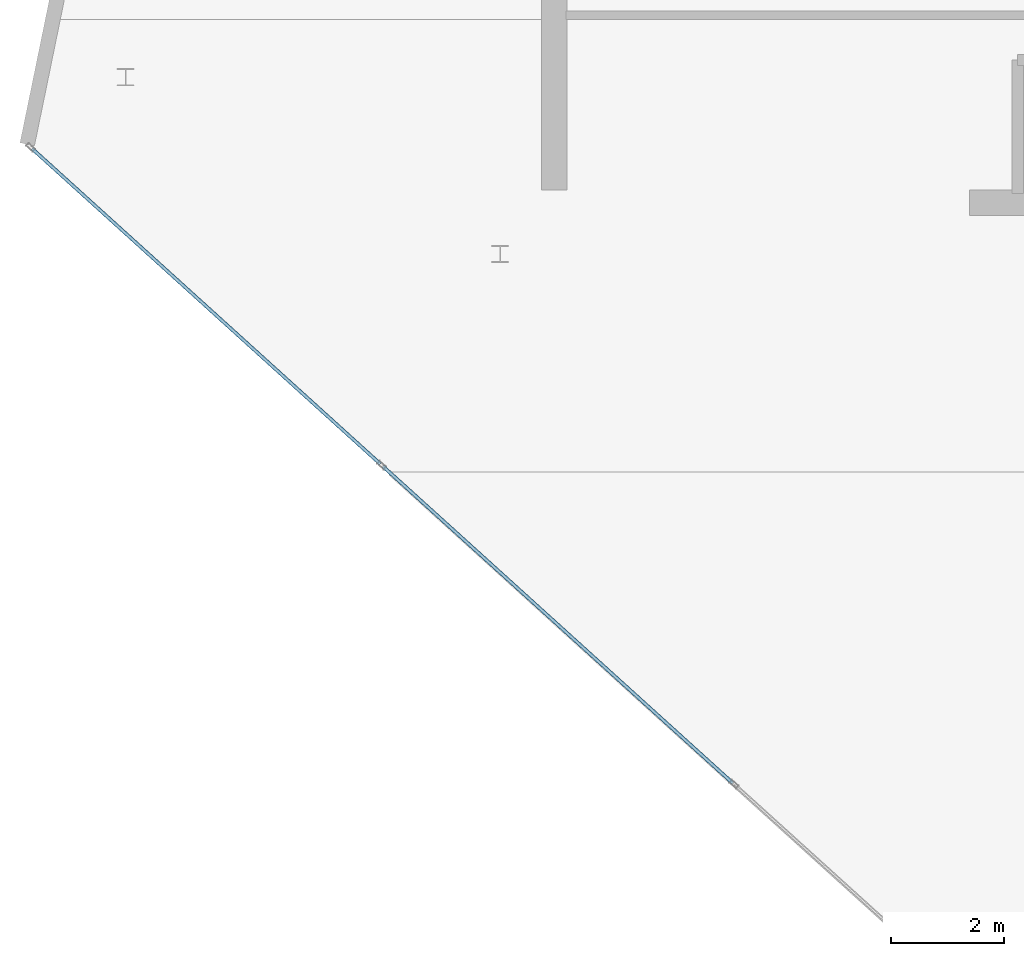
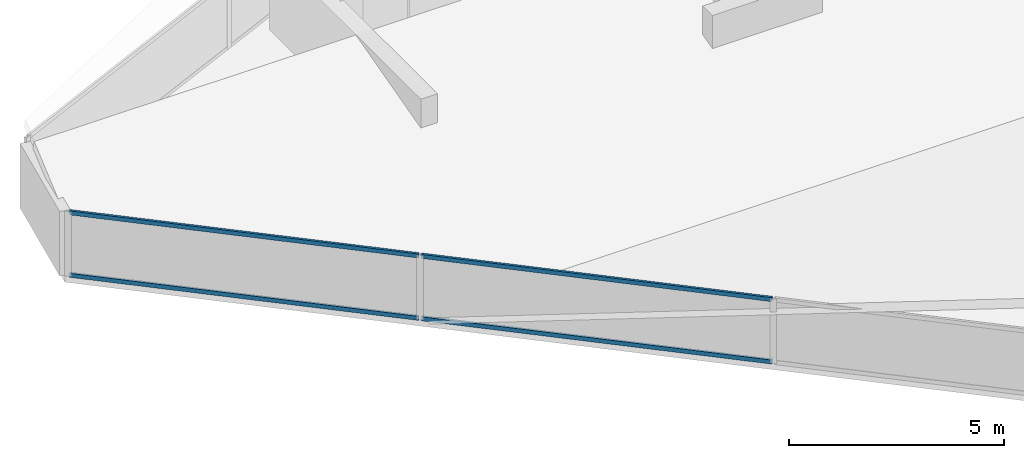
# One storey, part 4 of 13: 4 members, 1 element without a shape of its own.
"""IFC4 building model written with IfcOpenShell, lengths in metres."""

from ifc_helpers import new_model, si_unit, direction, frame, origin, origin_2d, place, context, subcontext, project, spatial, hollow_rectangle, extrude, material, layer, layer_set, material_profile, profile_set, type_object, element, aggregate, save


model = new_model("IFC4")

# Units and contexts
model_context = context("Model", 3, precision=1e-05, world=origin(), true_north=direction((0.0, 1.0)))
body_context = subcontext(model_context, "Body", "Model", "MODEL_VIEW")
ifc_project = project(units=[si_unit("LENGTHUNIT", "METRE"), si_unit("AREAUNIT", "SQUARE_METRE"), si_unit("VOLUMEUNIT", "CUBIC_METRE"), si_unit("PLANEANGLEUNIT", "RADIAN"), si_unit("MASSUNIT", "GRAM", prefix="KILO")], contexts=[model_context])

# Site, building, storey
site_placement = place(None, origin())
site = spatial("IfcSite", under=ifc_project, at=site_placement, CompositionType="ELEMENT")
building_placement = place(site_placement, origin())
building = spatial("IfcBuilding", under=site, at=building_placement, Name="Qianvela Tower", CompositionType="ELEMENT")
storey_placement = place(building_placement, frame((0.0, 0.0, 375.050048828125)))
storey = spatial("IfcBuildingStorey", under=building, at=storey_placement, Name="L97", CompositionType="ELEMENT", Elevation=375.050048828125)

# Curtain wall, members
ifc_material_1 = material(Name="Anodised Architectural Aluminium and Low-E Glass", Category="aluminium")
ifc_layer = layer(ifc_material_1, 0.159912109375)
ifc_layer_set = layer_set([ifc_layer], Name="Anodised Architectural Aluminium and Low-E Glass")
curtain_wall_type = type_object("IfcCurtainWallType", Name="CW-CROWN", PredefinedType="USERDEFINED", material=ifc_layer_set)
curtain_wall_placement = place(storey_placement, origin())
curtain_wall = element("IfcCurtainWall", 1, at=curtain_wall_placement, inside=storey, type_object=curtain_wall_type, Name="L97 CW-CROWN Curtain Wall 04", ObjectType="CURTAIN_WALL_SYSTEM", PredefinedType="USERDEFINED")
ifc_material_2 = material(Name="Anodised Architectural Aluminium 6063-T6", Category="aluminium")
ifc_material_profile = material_profile(ifc_material_2, hollow_rectangle(XDim=0.06005859375, YDim=0.114990234375, WallThickness=0.00390625, at=origin_2d()), Name="ALU-TRAN-60x115")
ifc_profile_set = profile_set([ifc_material_profile], Name="Anodised Architectural Aluminium 6063-T6")
member_type = type_object("IfcMemberType", Name="CW-CROWN-TRAN", PredefinedType="USERDEFINED", material=ifc_profile_set)
member_1_placement = place(storey_placement, frame((20.326904296875, 25.7138671875, 0.030029296875), z_axis=(0.741267572729, -0.67120964357, 0.0), x_axis=(0.67120964357, 0.741267572729, 0.0)))
member_1 = element("IfcMember", 2, at=member_1_placement, type_object=member_type, Name="CW-8 transom 1.1", ObjectType="TRANSOM", PredefinedType="USERDEFINED", context=body_context, shape_type="SweptSolid", body=[
    extrude(hollow_rectangle(XDim=0.06005859375, YDim=0.114990234375, WallThickness=0.00390625, at=origin_2d()), origin(), (0.0, 0.0, 1.0), 8.304443359375),
])
member_2_placement = place(storey_placement, frame((20.326904296875, 25.7138671875, 1.8017578125), z_axis=(0.741267572729, -0.67120964357, 0.0), x_axis=(0.67120964357, 0.741267572729, 0.0)))
member_2 = element("IfcMember", 3, at=member_2_placement, type_object=member_type, Name="CW-8 transom 1.2", ObjectType="TRANSOM", PredefinedType="USERDEFINED", context=body_context, shape_type="SweptSolid", body=[
    extrude(hollow_rectangle(XDim=0.06005859375, YDim=0.114990234375, WallThickness=0.00390625, at=origin_2d()), origin(), (0.0, 0.0, 1.0), 8.304443359375),
])
member_3_placement = place(storey_placement, frame((26.531005859375, 20.09619140625, 0.030029296875), z_axis=(0.741291517826, -0.67118319824, 0.0), x_axis=(0.67118319824, 0.741291517826, 0.0)))
member_3 = element("IfcMember", 4, at=member_3_placement, type_object=member_type, Name="CW-8 transom 2.1", ObjectType="TRANSOM", PredefinedType="USERDEFINED", context=body_context, shape_type="SweptSolid", body=[
    extrude(hollow_rectangle(XDim=0.06005859375, YDim=0.114990234375, WallThickness=0.00390625, at=origin_2d()), origin(), (0.0, 0.0, 1.0), 8.336669921875),
])
member_4_placement = place(storey_placement, frame((26.531005859375, 20.09619140625, 1.8017578125), z_axis=(0.741291517826, -0.67118319824, 0.0), x_axis=(0.67118319824, 0.741291517826, 0.0)))
member_4 = element("IfcMember", 5, at=member_4_placement, type_object=member_type, Name="CW-8 transom 2.2", ObjectType="TRANSOM", PredefinedType="USERDEFINED", context=body_context, shape_type="SweptSolid", body=[
    extrude(hollow_rectangle(XDim=0.06005859375, YDim=0.114990234375, WallThickness=0.00390625, at=origin_2d()), origin(), (0.0, 0.0, 1.0), 8.336669921875),
])
aggregate(curtain_wall, [member_1, member_2, member_3, member_4])

save(model, "model.ifc")
